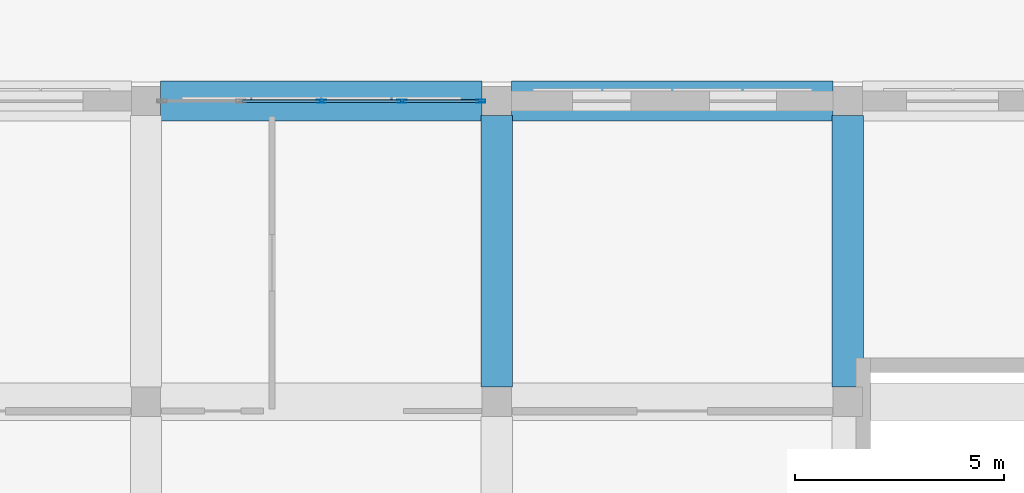
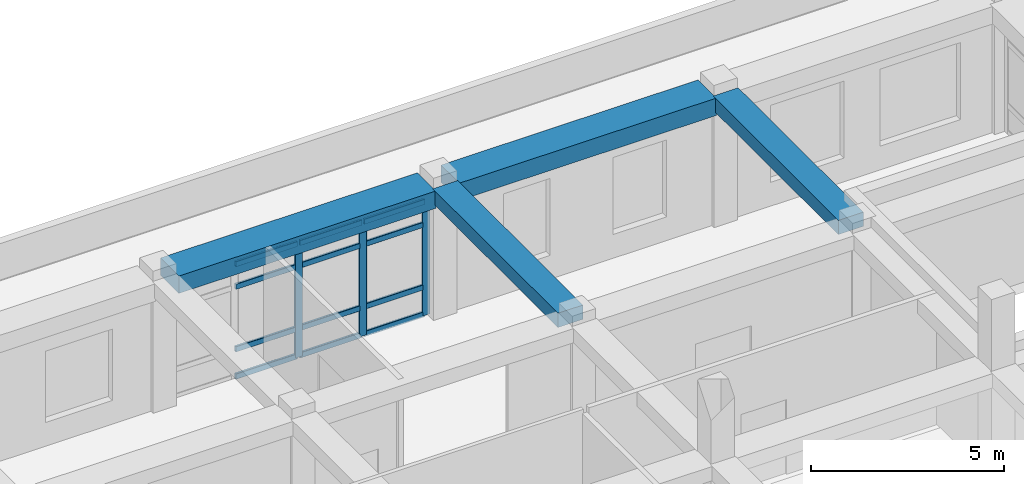
# One storey, part 20 of 100: 15 members, 4 beams, 1 element without a shape of its own.
"""IFC4 building model written with IfcOpenShell, lengths in metres."""

from ifc_helpers import new_model, si_unit, derived_unit, direction, frame, origin, origin_2d, place, context, subcontext, project, spatial, rectangle, hollow_rectangle, extrude, material, material_profile, profile_set, type_object, element, aggregate, save


model = new_model("IFC4")

# Units and contexts
model_context = context("Model", 3, precision=1e-05, world=origin(), true_north=direction((0.0, 1.0)))
body_context = subcontext(model_context, "Body", "Model", "MODEL_VIEW")
ifc_project = project(units=[si_unit("LENGTHUNIT", "METRE"), si_unit("AREAUNIT", "SQUARE_METRE"), si_unit("VOLUMEUNIT", "CUBIC_METRE"), si_unit("PLANEANGLEUNIT", "RADIAN"), si_unit("MASSUNIT", "GRAM", prefix="KILO"), derived_unit("THERMALTRANSMITTANCEUNIT", [(si_unit("POWERUNIT", "WATT"), 1), (si_unit("LENGTHUNIT", "METRE"), -2), (si_unit("THERMODYNAMICTEMPERATUREUNIT", "KELVIN"), -1)])], contexts=[model_context])

# Site, building, storey
site_placement = place(None, origin())
site = spatial("IfcSite", under=ifc_project, at=site_placement, CompositionType="ELEMENT")
building_placement = place(site_placement, origin())
building = spatial("IfcBuilding", under=site, at=building_placement, Name="Veybourne Emporium", CompositionType="ELEMENT")
storey_placement = place(building_placement, frame((0.0, 0.0, 14.39990234375)))
storey = spatial("IfcBuildingStorey", under=building, at=storey_placement, Name="L03", CompositionType="ELEMENT", Elevation=14.39990234375)

# Curtain wall, members
ifc_material_1 = material(Name="Patinated Architectural Bronze", Category="bronze")
curtain_wall_type = type_object("IfcCurtainWallType", Name="CWSystem_CWS-21", PredefinedType="NOTDEFINED", material=ifc_material_1)
curtain_wall_placement = place(storey_placement, origin())
curtain_wall = element("IfcCurtainWall", 1, at=curtain_wall_placement, inside=storey, type_object=curtain_wall_type, Name="L03 bronze glazed curtain wall CWS-21 (063)", PredefinedType="NOTDEFINED")
ifc_material_profile_1 = material_profile(ifc_material_1, hollow_rectangle(XDim=0.072021484375, YDim=0.22509765625, WallThickness=0.0048828125, InnerFilletRadius=0.007568359375, OuterFilletRadius=0.012451171875, at=origin_2d()), Name="CWM 72x225x5")
ifc_profile_set_1 = profile_set([ifc_material_profile_1], Name="Patinated Architectural Bronze")
member_type_1 = type_object("IfcMemberType", Name="CWMullion_CW-M1", PredefinedType="MULLION", material=ifc_profile_set_1)
member_1_placement = place(storey_placement, frame((113.39990234375, 21.60009765625, 0.0), z_axis=(0.0, 0.0, 1.0), x_axis=(0.0, 1.0, 0.0)))
member_1 = element("IfcMember", 2, at=member_1_placement, type_object=member_type_1, Name="CWS-21 mullion 3", PredefinedType="MULLION", context=body_context, shape_type="SweptSolid", body=[
    extrude(hollow_rectangle(XDim=0.072021484375, YDim=0.22509765625, WallThickness=0.0048828125, InnerFilletRadius=0.007568359375, OuterFilletRadius=0.012451171875, at=origin_2d()), origin(), (0.0, 0.0, 1.0), 3.630126953125),
])
member_2_placement = place(storey_placement, frame((115.324951171875, 21.60009765625, 0.0), z_axis=(0.0, 0.0, 1.0), x_axis=(0.0, 1.0, 0.0)))
member_2 = element("IfcMember", 3, at=member_2_placement, type_object=member_type_1, Name="CWS-21 mullion 4", PredefinedType="MULLION", context=body_context, shape_type="SweptSolid", body=[
    extrude(hollow_rectangle(XDim=0.072021484375, YDim=0.22509765625, WallThickness=0.0048828125, InnerFilletRadius=0.007568359375, OuterFilletRadius=0.012451171875, at=origin_2d()), origin(), (0.0, 0.0, 1.0), 3.630126953125),
])
member_3_placement = place(storey_placement, frame((117.214111328125, 21.60009765625, 0.0), z_axis=(0.0, 0.0, 1.0), x_axis=(0.0, 1.0, 0.0)))
member_3 = element("IfcMember", 4, at=member_3_placement, type_object=member_type_1, Name="CWS-21 mullion 5", PredefinedType="MULLION", context=body_context, shape_type="SweptSolid", body=[
    extrude(hollow_rectangle(XDim=0.072021484375, YDim=0.22509765625, WallThickness=0.0048828125, InnerFilletRadius=0.007568359375, OuterFilletRadius=0.012451171875, at=origin_2d()), origin(), (0.0, 0.0, 1.0), 3.630126953125),
])
ifc_material_profile_2 = material_profile(ifc_material_1, hollow_rectangle(XDim=0.072021484375, YDim=0.175048828125, WallThickness=0.0048828125, InnerFilletRadius=0.007568359375, OuterFilletRadius=0.012451171875, at=origin_2d()), Name="CWT 72x175x5")
ifc_profile_set_2 = profile_set([ifc_material_profile_2], Name="Patinated Architectural Bronze")
member_type_2 = type_object("IfcMemberType", Name="CWTransom_CW-T1", PredefinedType="NOTDEFINED", material=ifc_profile_set_2)
member_4_placement = place(storey_placement, frame((111.510986328125, 21.60009765625, 0.0361328125), z_axis=(1.0, 0.0, 0.0), x_axis=(0.0, 1.0, 0.0)))
member_4 = element("IfcMember", 5, at=member_4_placement, type_object=member_type_2, Name="CWS-21 transom 2.1", ObjectType="TRANSOM", PredefinedType="USERDEFINED", context=body_context, shape_type="SweptSolid", body=[
    extrude(hollow_rectangle(XDim=0.072021484375, YDim=0.175048828125, WallThickness=0.0048828125, InnerFilletRadius=0.007568359375, OuterFilletRadius=0.012451171875, at=origin_2d()), origin(), (0.0, 0.0, 1.0), 1.85302734375),
])
member_5_placement = place(storey_placement, frame((111.510986328125, 21.60009765625, 0.900146484375), z_axis=(1.0, 0.0, 0.0), x_axis=(0.0, 1.0, 0.0)))
member_5 = element("IfcMember", 6, at=member_5_placement, type_object=member_type_2, Name="CWS-21 transom 2.2", ObjectType="TRANSOM", PredefinedType="USERDEFINED", context=body_context, shape_type="SweptSolid", body=[
    extrude(hollow_rectangle(XDim=0.072021484375, YDim=0.175048828125, WallThickness=0.0048828125, InnerFilletRadius=0.007568359375, OuterFilletRadius=0.012451171875, at=origin_2d()), origin(), (0.0, 0.0, 1.0), 1.85302734375),
])
member_6_placement = place(storey_placement, frame((111.510986328125, 21.60009765625, 2.880126953125), z_axis=(1.0, 0.0, 0.0), x_axis=(0.0, 1.0, 0.0)))
member_6 = element("IfcMember", 7, at=member_6_placement, type_object=member_type_2, Name="CWS-21 transom 2.3", ObjectType="TRANSOM", PredefinedType="USERDEFINED", context=body_context, shape_type="SweptSolid", body=[
    extrude(hollow_rectangle(XDim=0.072021484375, YDim=0.175048828125, WallThickness=0.0048828125, InnerFilletRadius=0.007568359375, OuterFilletRadius=0.012451171875, at=origin_2d()), origin(), (0.0, 0.0, 1.0), 1.85302734375),
])
member_7_placement = place(storey_placement, frame((111.510986328125, 21.60009765625, 3.593994140625), z_axis=(1.0, 0.0, 0.0), x_axis=(0.0, 1.0, 0.0)))
member_7 = element("IfcMember", 8, at=member_7_placement, type_object=member_type_2, Name="CWS-21 transom 2.4", ObjectType="TRANSOM", PredefinedType="USERDEFINED", context=body_context, shape_type="SweptSolid", body=[
    extrude(hollow_rectangle(XDim=0.072021484375, YDim=0.175048828125, WallThickness=0.0048828125, InnerFilletRadius=0.007568359375, OuterFilletRadius=0.012451171875, at=origin_2d()), origin(), (0.0, 0.0, 1.0), 1.85302734375),
])
member_8_placement = place(storey_placement, frame((113.43603515625, 21.60009765625, 0.0361328125), z_axis=(1.0, 0.0, 0.0), x_axis=(0.0, 1.0, 0.0)))
member_8 = element("IfcMember", 9, at=member_8_placement, type_object=member_type_2, Name="CWS-21 transom 3.1", ObjectType="TRANSOM", PredefinedType="USERDEFINED", context=body_context, shape_type="SweptSolid", body=[
    extrude(hollow_rectangle(XDim=0.072021484375, YDim=0.175048828125, WallThickness=0.0048828125, InnerFilletRadius=0.007568359375, OuterFilletRadius=0.012451171875, at=origin_2d()), origin(), (0.0, 0.0, 1.0), 1.85302734375),
])
member_9_placement = place(storey_placement, frame((113.43603515625, 21.60009765625, 0.900146484375), z_axis=(1.0, 0.0, 0.0), x_axis=(0.0, 1.0, 0.0)))
member_9 = element("IfcMember", 10, at=member_9_placement, type_object=member_type_2, Name="CWS-21 transom 3.2", ObjectType="TRANSOM", PredefinedType="USERDEFINED", context=body_context, shape_type="SweptSolid", body=[
    extrude(hollow_rectangle(XDim=0.072021484375, YDim=0.175048828125, WallThickness=0.0048828125, InnerFilletRadius=0.007568359375, OuterFilletRadius=0.012451171875, at=origin_2d()), origin(), (0.0, 0.0, 1.0), 1.85302734375),
])
member_10_placement = place(storey_placement, frame((113.43603515625, 21.60009765625, 2.880126953125), z_axis=(1.0, 0.0, 0.0), x_axis=(0.0, 1.0, 0.0)))
member_10 = element("IfcMember", 11, at=member_10_placement, type_object=member_type_2, Name="CWS-21 transom 3.3", ObjectType="TRANSOM", PredefinedType="USERDEFINED", context=body_context, shape_type="SweptSolid", body=[
    extrude(hollow_rectangle(XDim=0.072021484375, YDim=0.175048828125, WallThickness=0.0048828125, InnerFilletRadius=0.007568359375, OuterFilletRadius=0.012451171875, at=origin_2d()), origin(), (0.0, 0.0, 1.0), 1.85302734375),
])
member_11_placement = place(storey_placement, frame((113.43603515625, 21.60009765625, 3.593994140625), z_axis=(1.0, 0.0, 0.0), x_axis=(0.0, 1.0, 0.0)))
member_11 = element("IfcMember", 12, at=member_11_placement, type_object=member_type_2, Name="CWS-21 transom 3.4", ObjectType="TRANSOM", PredefinedType="USERDEFINED", context=body_context, shape_type="SweptSolid", body=[
    extrude(hollow_rectangle(XDim=0.072021484375, YDim=0.175048828125, WallThickness=0.0048828125, InnerFilletRadius=0.007568359375, OuterFilletRadius=0.012451171875, at=origin_2d()), origin(), (0.0, 0.0, 1.0), 1.85302734375),
])
member_12_placement = place(storey_placement, frame((115.361083984375, 21.60009765625, 0.0361328125), z_axis=(1.0, 0.0, 0.0), x_axis=(0.0, 1.0, 0.0)))
member_12 = element("IfcMember", 13, at=member_12_placement, type_object=member_type_2, Name="CWS-21 transom 4.1", ObjectType="TRANSOM", PredefinedType="USERDEFINED", context=body_context, shape_type="SweptSolid", body=[
    extrude(hollow_rectangle(XDim=0.072021484375, YDim=0.175048828125, WallThickness=0.0048828125, InnerFilletRadius=0.007568359375, OuterFilletRadius=0.012451171875, at=origin_2d()), origin(), (0.0, 0.0, 1.0), 1.81689453125),
])
member_13_placement = place(storey_placement, frame((115.361083984375, 21.60009765625, 0.900146484375), z_axis=(1.0, 0.0, 0.0), x_axis=(0.0, 1.0, 0.0)))
member_13 = element("IfcMember", 14, at=member_13_placement, type_object=member_type_2, Name="CWS-21 transom 4.2", ObjectType="TRANSOM", PredefinedType="USERDEFINED", context=body_context, shape_type="SweptSolid", body=[
    extrude(hollow_rectangle(XDim=0.072021484375, YDim=0.175048828125, WallThickness=0.0048828125, InnerFilletRadius=0.007568359375, OuterFilletRadius=0.012451171875, at=origin_2d()), origin(), (0.0, 0.0, 1.0), 1.81689453125),
])
member_14_placement = place(storey_placement, frame((115.361083984375, 21.60009765625, 2.880126953125), z_axis=(1.0, 0.0, 0.0), x_axis=(0.0, 1.0, 0.0)))
member_14 = element("IfcMember", 15, at=member_14_placement, type_object=member_type_2, Name="CWS-21 transom 4.3", ObjectType="TRANSOM", PredefinedType="USERDEFINED", context=body_context, shape_type="SweptSolid", body=[
    extrude(hollow_rectangle(XDim=0.072021484375, YDim=0.175048828125, WallThickness=0.0048828125, InnerFilletRadius=0.007568359375, OuterFilletRadius=0.012451171875, at=origin_2d()), origin(), (0.0, 0.0, 1.0), 1.81689453125),
])
member_15_placement = place(storey_placement, frame((115.361083984375, 21.60009765625, 3.593994140625), z_axis=(1.0, 0.0, 0.0), x_axis=(0.0, 1.0, 0.0)))
member_15 = element("IfcMember", 16, at=member_15_placement, type_object=member_type_2, Name="CWS-21 transom 4.4", ObjectType="TRANSOM", PredefinedType="USERDEFINED", context=body_context, shape_type="SweptSolid", body=[
    extrude(hollow_rectangle(XDim=0.072021484375, YDim=0.175048828125, WallThickness=0.0048828125, InnerFilletRadius=0.007568359375, OuterFilletRadius=0.012451171875, at=origin_2d()), origin(), (0.0, 0.0, 1.0), 1.81689453125),
])
aggregate(curtain_wall, [member_1, member_2, member_3, member_4, member_5, member_6, member_7, member_8, member_9, member_10, member_11, member_12, member_13, member_14, member_15])

# Beams
ifc_material_2 = material(Name="Concrete C32/40", Category="concrete")
ifc_material_profile_3 = material_profile(ifc_material_2, rectangle(XDim=0.75, YDim=0.449951171875, at=origin_2d()), Name="RC 750x450")
ifc_profile_set_3 = profile_set([ifc_material_profile_3], Name="Concrete C32/40")
beam_type_1 = type_object("IfcBeamType", Name="RCBeam_BB-04", PredefinedType="BEAM", material=ifc_profile_set_3)
for number, where, z_axis, x_axis, name in (
    (17, (117.60009765625, 14.75, 3.955078125), (0.0, 1.0, 0.0), (-1.0, 0.0, 0.0), "L03 Y-grid beam BB-04 (14,2)"),
    (18, (126.0, 14.75, 3.955078125), (0.0, 1.0, 0.0), (-1.0, 0.0, 0.0), "L03 Y-grid beam BB-04 (15,2)"),
):
    element("IfcBeam", number, at=place(storey_placement, frame(where, z_axis=z_axis, x_axis=x_axis)), inside=storey, type_object=beam_type_1, Name=name, PredefinedType="BEAM", context=body_context, shape_type="SweptSolid", body=[
        extrude(rectangle(XDim=0.75, YDim=0.449951171875, at=origin_2d()), origin(), (0.0, 0.0, 1.0), 6.5),
    ])
ifc_material_profile_4 = material_profile(ifc_material_2, rectangle(XDim=0.949951171875, YDim=0.550048828125, at=origin_2d()), Name="RC 950x550")
ifc_profile_set_4 = profile_set([ifc_material_profile_4], Name="Concrete C32/40")
beam_type_2 = type_object("IfcBeamType", Name="RCBeam_EB-01", PredefinedType="SPANDREL", material=ifc_profile_set_4)
for number, where, z_axis, x_axis, name in (
    (19, (109.550048828125, 21.60009765625, 3.905029296875), (1.0, 0.0, 0.0), (0.0, 1.0, 0.0), "L03 X-grid beam EB-01 (13,3)"),
    (20, (117.949951171875, 21.60009765625, 3.905029296875), (1.0, 0.0, 0.0), (0.0, 1.0, 0.0), "L03 X-grid beam EB-01 (14,3)"),
):
    element("IfcBeam", number, at=place(storey_placement, frame(where, z_axis=z_axis, x_axis=x_axis)), inside=storey, type_object=beam_type_2, Name=name, PredefinedType="SPANDREL", context=body_context, shape_type="SweptSolid", body=[
        extrude(rectangle(XDim=0.949951171875, YDim=0.550048828125, at=origin_2d()), origin(), (0.0, 0.0, 1.0), 7.699951171875),
    ])

save(model, "model.ifc")
